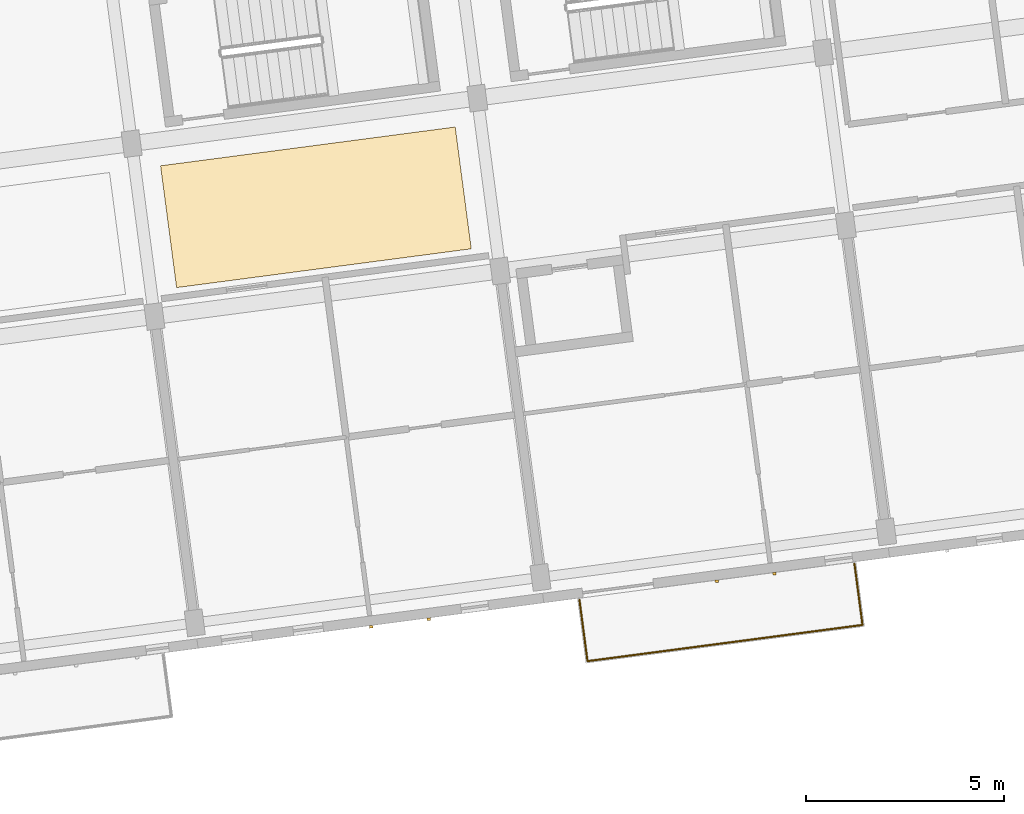
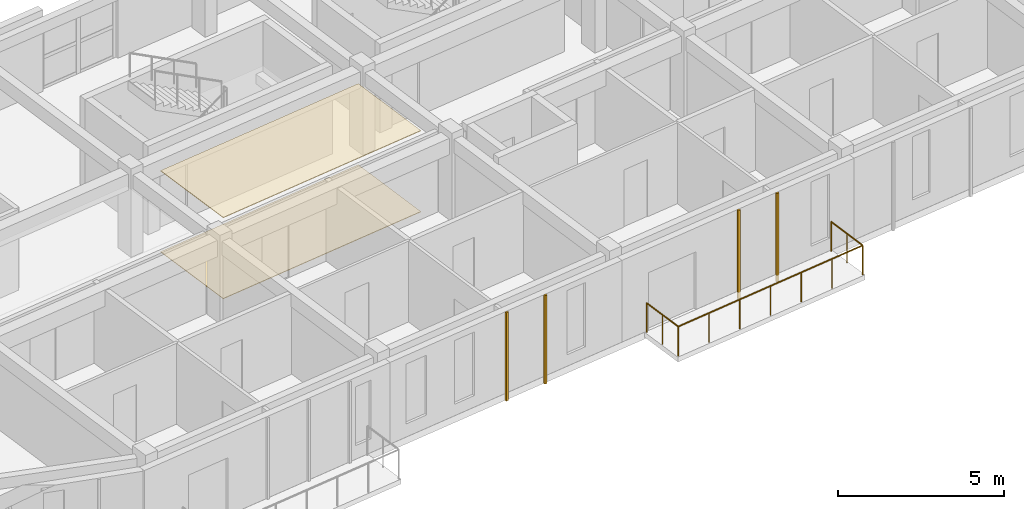
# One storey, part 37 of 56: 6 coverings, 1 railing.
"""IFC4 building model written with IfcOpenShell, lengths in metres."""

from ifc_helpers import new_model, si_unit, direction, frame, origin, origin_2d, place, context, subcontext, project, spatial, polyline, rectangle, circle, outline, extrude, material, layer, layer_set, type_object, element, save


model = new_model("IFC4")

# Units and contexts
model_context = context("Model", 3, precision=1e-05, world=origin(), true_north=direction((0.0, 1.0)))
body_context = subcontext(model_context, "Body", "Model", "MODEL_VIEW")
ifc_project = project(units=[si_unit("LENGTHUNIT", "METRE"), si_unit("AREAUNIT", "SQUARE_METRE"), si_unit("VOLUMEUNIT", "CUBIC_METRE"), si_unit("PLANEANGLEUNIT", "RADIAN"), si_unit("MASSUNIT", "GRAM", prefix="KILO")], contexts=[model_context])

# Site, building, storey
site_placement = place(None, origin())
site = spatial("IfcSite", under=ifc_project, at=site_placement, CompositionType="ELEMENT")
building_placement = place(site_placement, origin())
building = spatial("IfcBuilding", under=site, at=building_placement, Name="Kestramere Prow Commons", CompositionType="ELEMENT")
storey_placement = place(building_placement, frame((0.0, 0.0, 27.89990234375)))
storey = spatial("IfcBuildingStorey", under=building, at=storey_placement, Name="L08", CompositionType="ELEMENT", Elevation=27.89990234375)

# Coverings
ifc_material_1 = material(Name="Mineral Fibre Acoustic Ceiling Tile")
ifc_layer_1 = layer(ifc_material_1, 0.02490234375)
ifc_layer_set_1 = layer_set([ifc_layer_1], Name="Mineral Fibre Acoustic Ceiling Tile")
covering_type_1 = type_object("IfcCoveringType", Name="COV-CEIL-ACOUSTIC", PredefinedType="CEILING", material=ifc_layer_set_1)
covering_1_placement = place(storey_placement, frame((0.0, 0.0, 2.97509765625)))
element("IfcCovering", 1, at=covering_1_placement, inside=storey, type_object=covering_type_1, Name="Block A L08 Corridor Acoustic Ceiling 2", PredefinedType="CEILING", context=body_context, shape_type="SweptSolid", body=[
    extrude(outline(polyline([(19.46630859375, 81.611083984375), (26.902099609375, 82.590087890625), (26.497314453125, 85.66357421875), (19.0615234375, 84.6845703125), (19.46630859375, 81.611083984375)])), origin(), (0.0, 0.0, 1.0), 0.02490234375),
])
ifc_material_2 = material(Name="Weathered Zinc-Titanium Standing-Seam Cladding")
ifc_layer_2 = layer(ifc_material_2, 0.074951171875)
ifc_layer_set_2 = layer_set([ifc_layer_2], Name="Weathered Zinc-Titanium Standing-Seam Cladding")
covering_type_2 = type_object("IfcCoveringType", Name="COV-CLAD-SEAM", PredefinedType="CLADDING", material=ifc_layer_set_2)
for number, where, z_axis, x_axis, name in (
    (2, (25.82958984375, 73.24267578125, -0.25), (0.0, 0.0, 1.0), (-0.991444861374, -0.13052619222, 0.0), "EW-A-L08-S-1 Standing-Seam Rib 2"),
    (3, (24.37548828125, 73.05126953125, -0.25), (0.0, 0.0, 1.0), (-0.991444861374, -0.13052619222, 0.0), "EW-A-L08-S-1 Standing-Seam Rib 3"),
    (4, (34.554443359375, 74.391357421875, -0.25), (0.0, 0.0, 1.0), (-0.991444861374, -0.13052619222, 0.0), "EW-A-L08-S-2 Standing-Seam Rib 2"),
    (5, (33.100341796875, 74.199951171875, -0.25), (0.0, 0.0, 1.0), (-0.991444861374, -0.13052619222, 0.0), "EW-A-L08-S-2 Standing-Seam Rib 3"),
):
    element("IfcCovering", number, at=place(storey_placement, frame(where, z_axis=z_axis, x_axis=x_axis)), inside=storey, type_object=covering_type_2, Name=name, PredefinedType="CLADDING", context=body_context, shape_type="SweptSolid", body=[
        extrude(rectangle(XDim=0.0849609375, YDim=0.06494140625, at=origin_2d()), origin(), (0.0, 0.0, 1.0), 3.25),
    ])
ifc_material_3 = material(Name="Honed Cementitious Terrazzo Tile")
ifc_layer_3 = layer(ifc_material_3, 0.02001953125)
ifc_layer_set_3 = layer_set([ifc_layer_3], Name="Honed Cementitious Terrazzo Tile")
covering_type_3 = type_object("IfcCoveringType", Name="COV-FLOOR-TERRAZZO", PredefinedType="FLOORING", material=ifc_layer_set_3)
covering_2_placement = place(storey_placement, origin())
element("IfcCovering", 6, at=covering_2_placement, inside=storey, type_object=covering_type_3, Name="Block A L08 Corridor Terrazzo Flooring 2", PredefinedType="FLOORING", context=body_context, shape_type="SweptSolid", body=[
    extrude(outline(polyline([(19.46630859375, 81.611083984375), (26.902099609375, 82.590087890625), (26.497314453125, 85.66357421875), (19.0615234375, 84.6845703125), (19.46630859375, 81.611083984375)])), origin(), (0.0, 0.0, 1.0), 0.02001953125),
])

# Railing
ifc_material_4 = material(Name="Powder-Coated Aluminium 6063-T6", Category="aluminium")
railing_type = type_object("IfcRailingType", Name="GRD-BALC-1100", PredefinedType="BALUSTRADE", material=ifc_material_4)
railing_placement = place(storey_placement, frame((29.6318359375, 73.730712890625, 0.0)))
element("IfcRailing", 7, at=railing_placement, inside=storey, type_object=railing_type, Name="Block A L08 Balcony Guardrail 3", PredefinedType="BALUSTRADE", context=body_context, shape_type="SweptSolid", body=[
    extrude(circle(Radius=0.02392578125, at=origin_2d()), frame((0.0, 0.0, 1.076171875), z_axis=(0.130523335136, -0.991445237512, 0.0), x_axis=(0.991445237512, 0.130523335136, 0.0)), (0.0, 0.0, 1.0), 1.56005859375),
    extrude(circle(Radius=0.02392578125, at=origin_2d()), frame((0.20361328125, -1.546630859375, 1.076171875), z_axis=(0.991447052715, 0.13050954625, 0.0), x_axis=(-0.13050954625, 0.991447052715, 0.0)), (0.0, 0.0, 1.0), 7.0),
    extrude(circle(Radius=0.02392578125, at=origin_2d()), frame((7.143798828125, -0.633056640625, 1.076171875), z_axis=(-0.130523335136, 0.991445237512, 0.0), x_axis=(-0.991445237512, -0.130523335136, 0.0)), (0.0, 0.0, 1.0), 1.56005859375),
    extrude(circle(Radius=0.02099609375, at=origin_2d()), origin(), (0.0, 0.0, 1.0), 1.052001953125),
    extrude(circle(Radius=0.02099609375, at=origin_2d()), frame((0.101806640625, -0.7734375, 0.0)), (0.0, 0.0, 1.0), 1.052001953125),
    extrude(circle(Radius=0.02099609375, at=origin_2d()), frame((0.20361328125, -1.546630859375, 0.0)), (0.0, 0.0, 1.0), 1.052001953125),
    extrude(circle(Radius=0.02099609375, at=origin_2d()), frame((1.3603515625, -1.394287109375, 0.0)), (0.0, 0.0, 1.0), 1.052001953125),
    extrude(circle(Radius=0.02099609375, at=origin_2d()), frame((2.51708984375, -1.2421875, 0.0)), (0.0, 0.0, 1.0), 1.052001953125),
    extrude(circle(Radius=0.02099609375, at=origin_2d()), frame((3.673828125, -1.08984375, 0.0)), (0.0, 0.0, 1.0), 1.052001953125),
    extrude(circle(Radius=0.02099609375, at=origin_2d()), frame((4.830322265625, -0.9375, 0.0)), (0.0, 0.0, 1.0), 1.052001953125),
    extrude(circle(Radius=0.02099609375, at=origin_2d()), frame((5.987060546875, -0.785400390625, 0.0)), (0.0, 0.0, 1.0), 1.052001953125),
    extrude(circle(Radius=0.02099609375, at=origin_2d()), frame((7.143798828125, -0.633056640625, 0.0)), (0.0, 0.0, 1.0), 1.052001953125),
    extrude(circle(Radius=0.02099609375, at=origin_2d()), frame((7.0419921875, 0.14013671875, 0.0)), (0.0, 0.0, 1.0), 1.052001953125),
    extrude(circle(Radius=0.02099609375, at=origin_2d()), frame((6.940185546875, 0.91357421875, 0.0)), (0.0, 0.0, 1.0), 1.052001953125),
])

save(model, "model.ifc")
